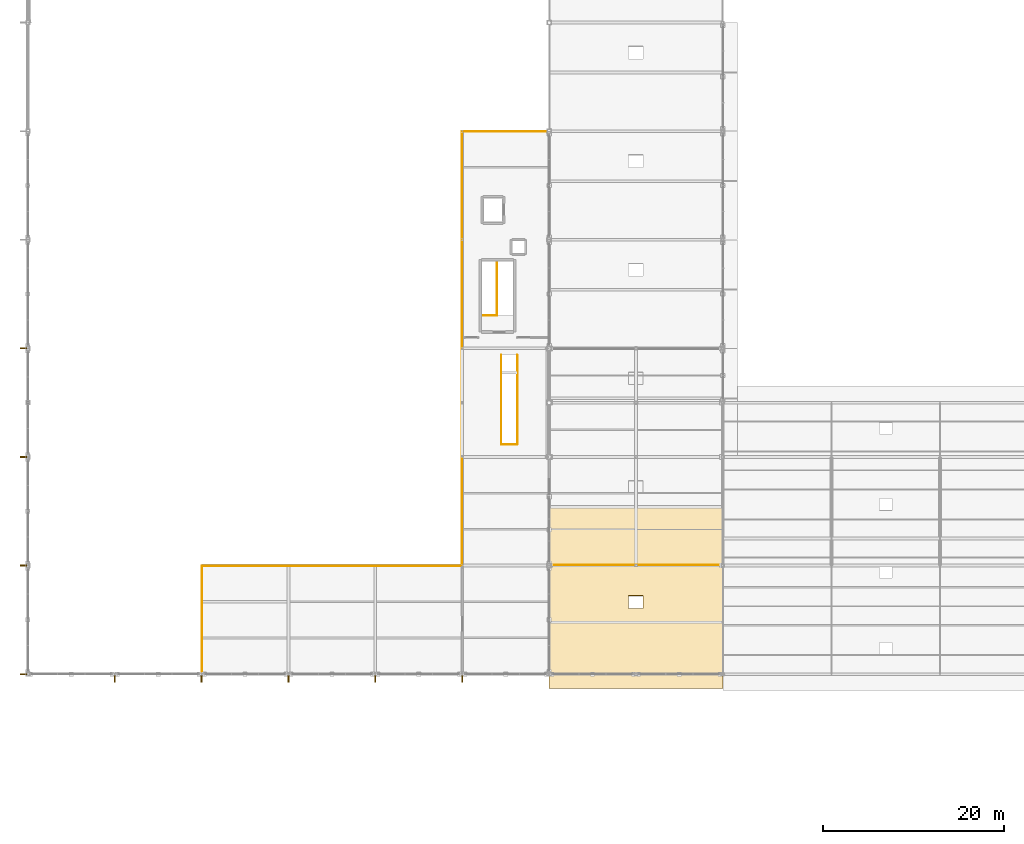
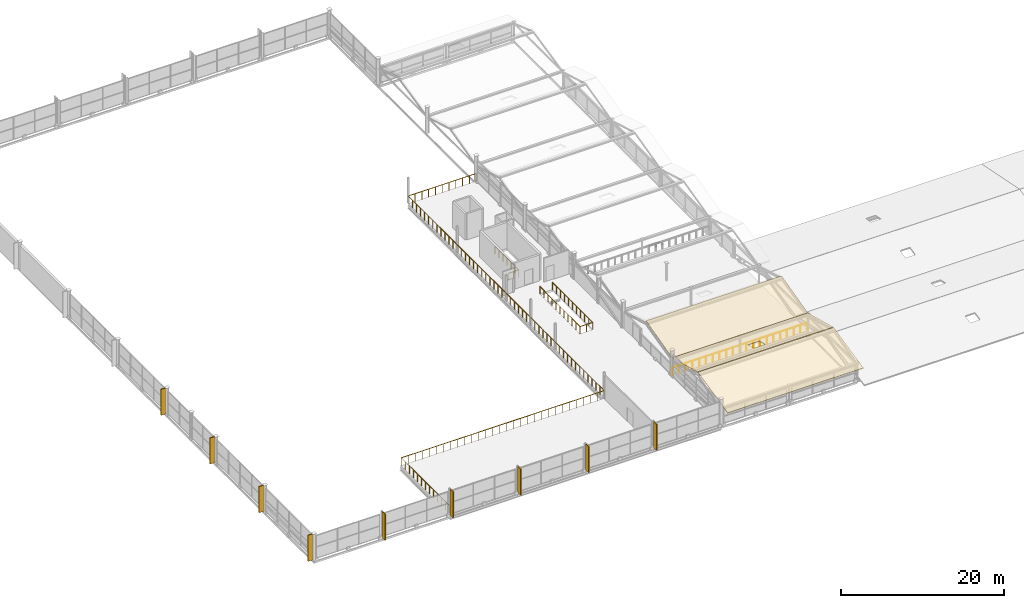
# One storey, part 114 of 117: 12 coverings, 4 railings.
"""IFC4 building model written with IfcOpenShell, lengths in metres."""

import ifcopenshell
import ifcopenshell.guid

model = None  # the IFC model being written
_history = None  # IfcOwnerHistory: only IFC2X3 demands one
_inside = {}  # id of a spatial element -> (the spatial element, [elements in it])
_under = {}  # id of a project, library or spatial element -> (it, [spatial elements below it])
_declared = {}  # id of a project -> (the project, [libraries it declares])
_typed = {}  # id of a type object -> (the type object, [elements of that type])
_made_of = {}  # id of a material, layer set ... -> (it, [elements and type objects made of it])


def new_model(schema):
    """Start an empty IFC model of exactly this schema.

    Asked for "IFC4X3", IfcOpenShell would pick the latest addendum, in which some entities
    have other attributes; the version numbers below select the first issue.
    IFC2X3 requires an IfcOwnerHistory on every rooted entity: one is made here for all.
    """
    global model, _history
    if schema == "IFC4X3":
        model = ifcopenshell.file(schema_version=(4, 3, 0, 0))
    else:
        model = ifcopenshell.file(schema=schema)
    _inside.clear()
    _under.clear()
    _declared.clear()
    _typed.clear()
    _made_of.clear()
    _history = None
    if model.schema == "IFC2X3":
        org = make("IfcOrganization", Name="unknown")
        user = make(
            "IfcPersonAndOrganization",
            ThePerson=make("IfcPerson", FamilyName="unknown"),
            TheOrganization=org,
        )
        app = make(
            "IfcApplication",
            ApplicationDeveloper=org,
            Version="unknown",
            ApplicationFullName="unknown",
            ApplicationIdentifier="unknown",
        )
        _history = make(
            "IfcOwnerHistory",
            OwningUser=user,
            OwningApplication=app,
            ChangeAction="ADDED",
            CreationDate=0,
        )
    return model


def make(cls, **values):
    """One entity of the class cls with the attributes given. An attribute that is None is left unset."""
    return model.create_entity(
        cls, **{name: value for name, value in values.items() if value is not None}
    )


def rooted(cls, **values):
    """An entity with a GlobalId (a new one), such as an element, a storey or a relation."""
    return make(cls, GlobalId=ifcopenshell.guid.new(), OwnerHistory=_history, **values)


def si_unit(unit_type, name, prefix=None):
    """IfcSIUnit, for example si_unit("LENGTHUNIT", "METRE", prefix="MILLI")."""
    return make("IfcSIUnit", UnitType=unit_type, Prefix=prefix, Name=name)


def assignment(units):
    """IfcUnitAssignment: the units of a project."""
    return None if units is None else make("IfcUnitAssignment", Units=units)


def point(xyz):
    """IfcCartesianPoint."""
    return None if xyz is None else make("IfcCartesianPoint", Coordinates=xyz)


def direction(xyz):
    """IfcDirection."""
    return None if xyz is None else make("IfcDirection", DirectionRatios=xyz)


def frame(location, z_axis=None, x_axis=None):
    """IfcAxis2Placement3D, a coordinate frame: its origin and axes. An axis left out is left unset."""
    return make(
        "IfcAxis2Placement3D",
        Location=point(location),
        Axis=direction(z_axis),
        RefDirection=direction(x_axis),
    )


def frame_2d(location, x_axis=None):
    """IfcAxis2Placement2D, a coordinate frame in the plane: its origin and x axis."""
    return make(
        "IfcAxis2Placement2D", Location=point(location), RefDirection=direction(x_axis)
    )


def origin():
    """The frame at (0, 0, 0) with its axes left unset."""
    return frame((0.0, 0.0, 0.0))


def origin_2d():
    """The frame at (0, 0) in the plane with its x axis left unset."""
    return frame_2d((0.0, 0.0))


def place(relative_to, where):
    """IfcLocalPlacement: puts the frame where relative to a parent placement (None: the world)."""
    return make(
        "IfcLocalPlacement", PlacementRelTo=relative_to, RelativePlacement=where
    )


def context(
    kind, dimensions, precision=None, world=None, true_north=None, identifier=None
):
    """IfcGeometricRepresentationContext, for example the 3D "Model" context."""
    return make(
        "IfcGeometricRepresentationContext",
        ContextIdentifier=identifier,
        ContextType=kind,
        CoordinateSpaceDimension=dimensions,
        Precision=precision,
        WorldCoordinateSystem=world,
        TrueNorth=true_north,
    )


def subcontext(parent, identifier, kind, view, scale=None):
    """IfcGeometricRepresentationSubContext, for example "Body" below "Model"."""
    return make(
        "IfcGeometricRepresentationSubContext",
        ContextIdentifier=identifier,
        ContextType=kind,
        ParentContext=parent,
        TargetScale=scale,
        TargetView=view,
    )


def project(units=None, contexts=None):
    """IfcProject with its units and contexts."""
    return rooted(
        "IfcProject",
        Name="project",
        RepresentationContexts=contexts,
        UnitsInContext=assignment(units),
    )


def spatial(cls, under=None, at=None, **own):
    """A site, building, storey or space (cls), placed at a placement, below another one or the project."""
    s = rooted(cls, ObjectPlacement=at, **own)
    if under is not None:
        _under.setdefault(under.id(), (under, []))[1].append(s)
    return s


def polyline(points):
    """IfcPolyline through the points."""
    return make("IfcPolyline", Points=[point(p) for p in points])


def profile(cls, at=None, kind="AREA", **sizes):
    """A parametric profile (cls). Its sizes go by their IFC names, for example OverallWidth=200.0."""
    return make(cls, ProfileType=kind, Position=at, **sizes)


def circle(**sizes):
    """IfcCircleProfileDef."""
    return profile("IfcCircleProfileDef", **sizes)


def outline(outer, holes=None, kind="AREA"):
    """IfcArbitraryClosedProfileDef: a profile drawn as a closed curve; with holes, ...WithVoids."""
    if holes is None:
        return make("IfcArbitraryClosedProfileDef", ProfileType=kind, OuterCurve=outer)
    return make(
        "IfcArbitraryProfileDefWithVoids",
        ProfileType=kind,
        OuterCurve=outer,
        InnerCurves=holes,
    )


def extrude(swept, where, along, depth):
    """IfcExtrudedAreaSolid: the profile swept, set in the frame where, extruded along a direction by depth."""
    return make(
        "IfcExtrudedAreaSolid",
        SweptArea=swept,
        Position=where,
        ExtrudedDirection=direction(along),
        Depth=depth,
    )


def shape(context_of_items, identifier, shape_type, items):
    """IfcShapeRepresentation: the items that make up one representation, for example the "Body"."""
    return make(
        "IfcShapeRepresentation",
        ContextOfItems=context_of_items,
        RepresentationIdentifier=identifier,
        RepresentationType=shape_type,
        Items=items,
    )


def material(Name=None, Category=None):
    """IfcMaterial."""
    return make("IfcMaterial", Name=Name, Category=Category)


def layer(
    of_material, thickness, ventilated=None, Name=None, Category=None, Priority=None
):
    """IfcMaterialLayer: one layer of a wall or slab, of a material (None: an air gap)."""
    return make(
        "IfcMaterialLayer",
        Material=of_material,
        LayerThickness=thickness,
        IsVentilated=ventilated,
        Name=Name,
        Category=Category,
        Priority=Priority,
    )


def layer_set(layers, Name=None):
    """IfcMaterialLayerSet."""
    return make("IfcMaterialLayerSet", MaterialLayers=layers, LayerSetName=Name)


def made_of(thing, what):
    """Note that an element or type object is made of a material, layer set ...; save() writes the relation."""
    if what is not None:
        _made_of.setdefault(what.id(), (what, []))[1].append(thing)
    return thing


def type_object(cls, material=None, **own):
    """A type object (cls), such as IfcWallType, which elements share."""
    return made_of(rooted(cls, **own), material)


def element(
    cls,
    number,
    at=None,
    inside=None,
    cuts=None,
    type_object=None,
    material=None,
    context=None,
    identifier="Body",
    shape_type=None,
    held_by="IfcProductDefinitionShape",
    body=None,
    shapes=None,
    **own,
):
    """One element of the class cls, such as IfcWall. Its Tag is "e" and its number.

    at: its placement. inside: the storey or other place that contains it. cuts: it is an
    opening in that element (IfcRelVoidsElement). A single representation is given by context,
    identifier, shape_type and body (its items); several are given by shapes. held_by: the class
    of the entity that holds the representations. save() writes the other relations.
    """
    e = rooted(cls, Tag="e%d" % number, ObjectPlacement=at, **own)
    if body is not None:
        shapes = [shape(context, identifier, shape_type, body)]
    if shapes is not None:
        e.Representation = make(held_by, Representations=shapes)
    if inside is not None:
        _inside.setdefault(inside.id(), (inside, []))[1].append(e)
    if cuts is not None:
        rooted(
            "IfcRelVoidsElement", RelatingBuildingElement=cuts, RelatedOpeningElement=e
        )
    if type_object is not None:
        _typed.setdefault(type_object.id(), (type_object, []))[1].append(e)
    return made_of(e, material)


def aggregate(whole, parts):
    """IfcRelAggregates: a whole, such as a stair, and the parts it consists of."""
    return rooted("IfcRelAggregates", RelatingObject=whole, RelatedObjects=parts)


def save(model, path):
    """Write the relations noted so far, then the file.

    IfcRelAggregates (storeys below a building ...), IfcRelContainedInSpatialStructure (elements
    in a storey), IfcRelDefinesByType, IfcRelAssociatesMaterial and IfcRelDeclares: one each for
    every whole, place, type object, material and project.
    """
    for whole, parts in _under.values():
        aggregate(whole, parts)
    for where, things in _inside.values():
        rooted(
            "IfcRelContainedInSpatialStructure",
            RelatedElements=things,
            RelatingStructure=where,
        )
    for kind, things in _typed.values():
        rooted("IfcRelDefinesByType", RelatedObjects=things, RelatingType=kind)
    for what, things in _made_of.values():
        rooted("IfcRelAssociatesMaterial", RelatedObjects=things, RelatingMaterial=what)
    for by, libraries in _declared.values():
        rooted("IfcRelDeclares", RelatingContext=by, RelatedDefinitions=libraries)
    model.write(path)


model = new_model("IFC4")

# Units and contexts
model_context = context("Model", 3, precision=1e-05, world=origin(), true_north=direction((0.0, 1.0)))
body_context = subcontext(model_context, "Body", "Model", "MODEL_VIEW")
ifc_project = project(units=[si_unit("LENGTHUNIT", "METRE"), si_unit("AREAUNIT", "SQUARE_METRE"), si_unit("VOLUMEUNIT", "CUBIC_METRE"), si_unit("PLANEANGLEUNIT", "RADIAN"), si_unit("MASSUNIT", "GRAM", prefix="KILO")], contexts=[model_context])

# Site, building, storey
site_placement = place(None, origin())
site = spatial("IfcSite", under=ifc_project, at=site_placement, CompositionType="ELEMENT")
building_placement = place(site_placement, origin())
building = spatial("IfcBuilding", under=site, at=building_placement, Name="Merenkruunu Market Hall", CompositionType="ELEMENT")
storey_placement = place(building_placement, frame((0.0, 0.0, 10.199951171875)))
storey = spatial("IfcBuildingStorey", under=building, at=storey_placement, Name="L02", CompositionType="ELEMENT", Elevation=10.199951171875)

# Coverings
ifc_material_1 = material(Name="Precast concrete C40/50", Category="concrete")
ifc_layer_1 = layer(ifc_material_1, 0.139892578125)
ifc_layer_set_1 = layer_set([ifc_layer_1], Name="Precast concrete C40/50")
covering_type_1 = type_object("IfcCoveringType", Name="Architectural Precast Sun Fin CLD02", PredefinedType="CLADDING", material=ifc_layer_set_1)
covering_1_placement = place(storey_placement, origin())
element("IfcCovering", 1, at=covering_1_placement, inside=storey, type_object=covering_type_1, Name="FIN-W-L02-003", PredefinedType="CLADDING", context=body_context, shape_type="SweptSolid", body=[
    extrude(outline(polyline([(-0.8701171875, 15.530029296875), (-0.14794921875, 15.530029296875), (-0.14794921875, 15.669921875), (-0.8701171875, 15.669921875), (-0.8701171875, 15.530029296875)])), origin(), (0.0, 0.0, 1.0), 3.900146484375),
])
covering_2_placement = place(storey_placement, origin())
element("IfcCovering", 2, at=covering_2_placement, inside=storey, type_object=covering_type_1, Name="FIN-W-L02-006", PredefinedType="CLADDING", context=body_context, shape_type="SweptSolid", body=[
    extrude(outline(polyline([(-0.8701171875, 27.530029296875), (-0.14794921875, 27.530029296875), (-0.14794921875, 27.669921875), (-0.8701171875, 27.669921875), (-0.8701171875, 27.530029296875)])), origin(), (0.0, 0.0, 1.0), 3.900146484375),
])
covering_3_placement = place(storey_placement, origin())
element("IfcCovering", 3, at=covering_3_placement, inside=storey, type_object=covering_type_1, Name="FIN-W-L02-009", PredefinedType="CLADDING", context=body_context, shape_type="SweptSolid", body=[
    extrude(outline(polyline([(-0.8701171875, 39.530029296875), (-0.14794921875, 39.530029296875), (-0.14794921875, 39.669921875), (-0.8701171875, 39.669921875), (-0.8701171875, 39.530029296875)])), origin(), (0.0, 0.0, 1.0), 3.900146484375),
])
covering_4_placement = place(storey_placement, origin())
element("IfcCovering", 4, at=covering_4_placement, inside=storey, type_object=covering_type_1, Name="FIN-W-L02-012", PredefinedType="CLADDING", context=body_context, shape_type="SweptSolid", body=[
    extrude(outline(polyline([(-0.8701171875, 51.530029296875), (-0.14794921875, 51.530029296875), (-0.14794921875, 51.669921875), (-0.8701171875, 51.669921875), (-0.8701171875, 51.530029296875)])), origin(), (0.0, 0.0, 1.0), 3.900146484375),
])
covering_5_placement = place(storey_placement, origin())
element("IfcCovering", 5, at=covering_5_placement, inside=storey, type_object=covering_type_1, Name="FIN-S-L02-029", PredefinedType="CLADDING", context=body_context, shape_type="SweptSolid", body=[
    extrude(outline(polyline([(9.530029296875, 14.72998046875), (9.669921875, 14.72998046875), (9.669921875, 15.451904296875), (9.530029296875, 15.451904296875), (9.530029296875, 14.72998046875)])), origin(), (0.0, 0.0, 1.0), 3.900146484375),
])
covering_6_placement = place(storey_placement, origin())
element("IfcCovering", 6, at=covering_6_placement, inside=storey, type_object=covering_type_1, Name="FIN-S-L02-034", PredefinedType="CLADDING", context=body_context, shape_type="SweptSolid", body=[
    extrude(outline(polyline([(19.1298828125, 14.72998046875), (19.27001953125, 14.72998046875), (19.27001953125, 15.451904296875), (19.1298828125, 15.451904296875), (19.1298828125, 14.72998046875)])), origin(), (0.0, 0.0, 1.0), 3.900146484375),
])
covering_7_placement = place(storey_placement, origin())
element("IfcCovering", 7, at=covering_7_placement, inside=storey, type_object=covering_type_1, Name="FIN-S-L02-039", PredefinedType="CLADDING", context=body_context, shape_type="SweptSolid", body=[
    extrude(outline(polyline([(28.72998046875, 14.72998046875), (28.8701171875, 14.72998046875), (28.8701171875, 15.451904296875), (28.72998046875, 15.451904296875), (28.72998046875, 14.72998046875)])), origin(), (0.0, 0.0, 1.0), 3.900146484375),
])
covering_8_placement = place(storey_placement, origin())
element("IfcCovering", 8, at=covering_8_placement, inside=storey, type_object=covering_type_1, Name="FIN-S-L02-044", PredefinedType="CLADDING", context=body_context, shape_type="SweptSolid", body=[
    extrude(outline(polyline([(38.330078125, 14.72998046875), (38.469970703125, 14.72998046875), (38.469970703125, 15.451904296875), (38.330078125, 15.451904296875), (38.330078125, 14.72998046875)])), origin(), (0.0, 0.0, 1.0), 3.900146484375),
])
covering_9_placement = place(storey_placement, origin())
element("IfcCovering", 9, at=covering_9_placement, inside=storey, type_object=covering_type_1, Name="FIN-S-L02-049", PredefinedType="CLADDING", context=body_context, shape_type="SweptSolid", body=[
    extrude(outline(polyline([(47.929931640625, 14.72998046875), (48.070068359375, 14.72998046875), (48.070068359375, 15.451904296875), (47.929931640625, 15.451904296875), (47.929931640625, 14.72998046875)])), origin(), (0.0, 0.0, 1.0), 3.900146484375),
])

# Railings
ifc_material_2 = material(Name="Brushed stainless steel", Category="steel")
railing_type_1 = type_object("IfcRailingType", Name="Gallery Balustrade Guard GR01", PredefinedType="BALUSTRADE", material=ifc_material_2)
railing_1_placement = place(storey_placement, frame((50.360107421875, 55.239990234375, 0.0)))
element("IfcRailing", 10, at=railing_1_placement, inside=storey, type_object=railing_type_1, Name="RAIL-L02-0027", PredefinedType="BALUSTRADE", context=body_context, shape_type="SweptSolid", body=[
    extrude(circle(Radius=0.02392578125, at=origin_2d()), frame((0.0, 0.0, 1.076171875), z_axis=(1.0, 0.0, 0.0), x_axis=(0.0, 1.0, 0.0)), (0.0, 0.0, 1.0), 1.5),
    extrude(circle(Radius=0.02392578125, at=origin_2d()), frame((1.5, 0.0, 1.076171875), z_axis=(0.0, 1.0, 0.0), x_axis=(-1.0, 0.0, 0.0)), (0.0, 0.0, 1.0), 5.800048828125),
    extrude(circle(Radius=0.02099609375, at=origin_2d()), origin(), (0.0, 0.0, 1.0), 1.052001953125),
    extrude(circle(Radius=0.02099609375, at=origin_2d()), frame((0.75, 0.0, 0.0)), (0.0, 0.0, 1.0), 1.052001953125),
    extrude(circle(Radius=0.02099609375, at=origin_2d()), frame((1.5, 0.0, 0.0)), (0.0, 0.0, 1.0), 1.052001953125),
    extrude(circle(Radius=0.02099609375, at=origin_2d()), frame((1.5, 0.966796875, 0.0)), (0.0, 0.0, 1.0), 1.052001953125),
    extrude(circle(Radius=0.02099609375, at=origin_2d()), frame((1.5, 1.933349609375, 0.0)), (0.0, 0.0, 1.0), 1.052001953125),
    extrude(circle(Radius=0.02099609375, at=origin_2d()), frame((1.5, 2.89990234375, 0.0)), (0.0, 0.0, 1.0), 1.052001953125),
    extrude(circle(Radius=0.02099609375, at=origin_2d()), frame((1.5, 3.86669921875, 0.0)), (0.0, 0.0, 1.0), 1.052001953125),
    extrude(circle(Radius=0.02099609375, at=origin_2d()), frame((1.5, 4.83349609375, 0.0)), (0.0, 0.0, 1.0), 1.052001953125),
    extrude(circle(Radius=0.02099609375, at=origin_2d()), frame((1.5, 5.800048828125, 0.0)), (0.0, 0.0, 1.0), 1.052001953125),
])
railing_2_placement = place(storey_placement, frame((52.31005859375, 50.85009765625, 0.0)))
element("IfcRailing", 11, at=railing_2_placement, inside=storey, type_object=railing_type_1, Name="RAIL-L02-0118", PredefinedType="BALUSTRADE", context=body_context, shape_type="SweptSolid", body=[
    extrude(circle(Radius=0.02392578125, at=origin_2d()), frame((0.0, 0.0, 1.076171875), z_axis=(0.0, -1.0, 0.0), x_axis=(1.0, 0.0, 0.0)), (0.0, 0.0, 1.0), 9.85009765625),
    extrude(circle(Radius=0.02392578125, at=origin_2d()), frame((0.0, -9.85009765625, 1.076171875), z_axis=(1.0, 0.0, 0.0), x_axis=(0.0, 1.0, 0.0)), (0.0, 0.0, 1.0), 1.780029296875),
    extrude(circle(Radius=0.02392578125, at=origin_2d()), frame((1.780029296875, -9.85009765625, 1.076171875), z_axis=(0.0, 1.0, 0.0), x_axis=(-1.0, 0.0, 0.0)), (0.0, 0.0, 1.0), 9.85009765625),
    extrude(circle(Radius=0.02099609375, at=origin_2d()), origin(), (0.0, 0.0, 1.0), 1.052001953125),
    extrude(circle(Radius=0.02099609375, at=origin_2d()), frame((0.0, -0.985107421875, 0.0)), (0.0, 0.0, 1.0), 1.052001953125),
    extrude(circle(Radius=0.02099609375, at=origin_2d()), frame((0.0, -1.969970703125, 0.0)), (0.0, 0.0, 1.0), 1.052001953125),
    extrude(circle(Radius=0.02099609375, at=origin_2d()), frame((0.0, -2.955078125, 0.0)), (0.0, 0.0, 1.0), 1.052001953125),
    extrude(circle(Radius=0.02099609375, at=origin_2d()), frame((0.0, -3.93994140625, 0.0)), (0.0, 0.0, 1.0), 1.052001953125),
    extrude(circle(Radius=0.02099609375, at=origin_2d()), frame((0.0, -4.925048828125, 0.0)), (0.0, 0.0, 1.0), 1.052001953125),
    extrude(circle(Radius=0.02099609375, at=origin_2d()), frame((0.0, -5.91015625, 0.0)), (0.0, 0.0, 1.0), 1.052001953125),
    extrude(circle(Radius=0.02099609375, at=origin_2d()), frame((0.0, -6.89501953125, 0.0)), (0.0, 0.0, 1.0), 1.052001953125),
    extrude(circle(Radius=0.02099609375, at=origin_2d()), frame((0.0, -7.880126953125, 0.0)), (0.0, 0.0, 1.0), 1.052001953125),
    extrude(circle(Radius=0.02099609375, at=origin_2d()), frame((0.0, -8.864990234375, 0.0)), (0.0, 0.0, 1.0), 1.052001953125),
    extrude(circle(Radius=0.02099609375, at=origin_2d()), frame((0.0, -9.85009765625, 0.0)), (0.0, 0.0, 1.0), 1.052001953125),
    extrude(circle(Radius=0.02099609375, at=origin_2d()), frame((0.89013671875, -9.85009765625, 0.0)), (0.0, 0.0, 1.0), 1.052001953125),
    extrude(circle(Radius=0.02099609375, at=origin_2d()), frame((1.780029296875, -9.85009765625, 0.0)), (0.0, 0.0, 1.0), 1.052001953125),
    extrude(circle(Radius=0.02099609375, at=origin_2d()), frame((1.780029296875, -8.864990234375, 0.0)), (0.0, 0.0, 1.0), 1.052001953125),
    extrude(circle(Radius=0.02099609375, at=origin_2d()), frame((1.780029296875, -7.880126953125, 0.0)), (0.0, 0.0, 1.0), 1.052001953125),
    extrude(circle(Radius=0.02099609375, at=origin_2d()), frame((1.780029296875, -6.89501953125, 0.0)), (0.0, 0.0, 1.0), 1.052001953125),
    extrude(circle(Radius=0.02099609375, at=origin_2d()), frame((1.780029296875, -5.91015625, 0.0)), (0.0, 0.0, 1.0), 1.052001953125),
    extrude(circle(Radius=0.02099609375, at=origin_2d()), frame((1.780029296875, -4.925048828125, 0.0)), (0.0, 0.0, 1.0), 1.052001953125),
    extrude(circle(Radius=0.02099609375, at=origin_2d()), frame((1.780029296875, -3.93994140625, 0.0)), (0.0, 0.0, 1.0), 1.052001953125),
    extrude(circle(Radius=0.02099609375, at=origin_2d()), frame((1.780029296875, -2.955078125, 0.0)), (0.0, 0.0, 1.0), 1.052001953125),
    extrude(circle(Radius=0.02099609375, at=origin_2d()), frame((1.780029296875, -1.969970703125, 0.0)), (0.0, 0.0, 1.0), 1.052001953125),
    extrude(circle(Radius=0.02099609375, at=origin_2d()), frame((1.780029296875, -0.985107421875, 0.0)), (0.0, 0.0, 1.0), 1.052001953125),
    extrude(circle(Radius=0.02099609375, at=origin_2d()), frame((1.780029296875, 0.0, 0.0)), (0.0, 0.0, 1.0), 1.052001953125),
])
ifc_material_3 = material(Name="Laminated safety glass", Category="glass")
railing_type_2 = type_object("IfcRailingType", Name="High Drop Balustrade Guard GR02", PredefinedType="BALUSTRADE", material=ifc_material_3)
railing_3_placement = place(storey_placement, frame((19.25, 15.64990234375, 0.0)))
element("IfcRailing", 12, at=railing_3_placement, inside=storey, type_object=railing_type_2, Name="RAIL-L02-0134", PredefinedType="BALUSTRADE", context=body_context, shape_type="SweptSolid", body=[
    extrude(circle(Radius=0.02392578125, at=origin_2d()), frame((0.0, 0.0, 1.17578125), z_axis=(0.0, 1.0, 0.0), x_axis=(-1.0, 0.0, 0.0)), (0.0, 0.0, 1.0), 11.900146484375),
    extrude(circle(Radius=0.02392578125, at=origin_2d()), frame((0.0, 11.900146484375, 1.17578125), z_axis=(1.0, 0.0, 0.0), x_axis=(0.0, 1.0, 0.0)), (0.0, 0.0, 1.0), 28.699951171875),
    extrude(circle(Radius=0.02392578125, at=origin_2d()), frame((28.699951171875, 11.900146484375, 1.17578125), z_axis=(0.0, 1.0, 0.0), x_axis=(-1.0, 0.0, 0.0)), (0.0, 0.0, 1.0), 48.0),
    extrude(circle(Radius=0.02392578125, at=origin_2d()), frame((28.699951171875, 59.900146484375, 1.17578125), z_axis=(1.0, 0.0, 0.0), x_axis=(0.0, 1.0, 0.0)), (0.0, 0.0, 1.0), 9.60009765625),
    extrude(circle(Radius=0.02099609375, at=origin_2d()), origin(), (0.0, 0.0, 1.0), 1.15185546875),
    extrude(circle(Radius=0.02099609375, at=origin_2d()), frame((0.0, 0.99169921875, 0.0)), (0.0, 0.0, 1.0), 1.15185546875),
    extrude(circle(Radius=0.02099609375, at=origin_2d()), frame((0.0, 1.9833984375, 0.0)), (0.0, 0.0, 1.0), 1.15185546875),
    extrude(circle(Radius=0.02099609375, at=origin_2d()), frame((0.0, 2.97509765625, 0.0)), (0.0, 0.0, 1.0), 1.15185546875),
    extrude(circle(Radius=0.02099609375, at=origin_2d()), frame((0.0, 3.966796875, 0.0)), (0.0, 0.0, 1.0), 1.15185546875),
    extrude(circle(Radius=0.02099609375, at=origin_2d()), frame((0.0, 4.95849609375, 0.0)), (0.0, 0.0, 1.0), 1.15185546875),
    extrude(circle(Radius=0.02099609375, at=origin_2d()), frame((0.0, 5.9501953125, 0.0)), (0.0, 0.0, 1.0), 1.15185546875),
    extrude(circle(Radius=0.02099609375, at=origin_2d()), frame((0.0, 6.941650390625, 0.0)), (0.0, 0.0, 1.0), 1.15185546875),
    extrude(circle(Radius=0.02099609375, at=origin_2d()), frame((0.0, 7.933349609375, 0.0)), (0.0, 0.0, 1.0), 1.15185546875),
    extrude(circle(Radius=0.02099609375, at=origin_2d()), frame((0.0, 8.925048828125, 0.0)), (0.0, 0.0, 1.0), 1.15185546875),
    extrude(circle(Radius=0.02099609375, at=origin_2d()), frame((0.0, 9.916748046875, 0.0)), (0.0, 0.0, 1.0), 1.15185546875),
    extrude(circle(Radius=0.02099609375, at=origin_2d()), frame((0.0, 10.908447265625, 0.0)), (0.0, 0.0, 1.0), 1.15185546875),
    extrude(circle(Radius=0.02099609375, at=origin_2d()), frame((0.0, 11.900146484375, 0.0)), (0.0, 0.0, 1.0), 1.15185546875),
    extrude(circle(Radius=0.02099609375, at=origin_2d()), frame((0.98974609375, 11.900146484375, 0.0)), (0.0, 0.0, 1.0), 1.15185546875),
    extrude(circle(Radius=0.02099609375, at=origin_2d()), frame((1.979248046875, 11.900146484375, 0.0)), (0.0, 0.0, 1.0), 1.15185546875),
    extrude(circle(Radius=0.02099609375, at=origin_2d()), frame((2.968994140625, 11.900146484375, 0.0)), (0.0, 0.0, 1.0), 1.15185546875),
    extrude(circle(Radius=0.02099609375, at=origin_2d()), frame((3.95849609375, 11.900146484375, 0.0)), (0.0, 0.0, 1.0), 1.15185546875),
    extrude(circle(Radius=0.02099609375, at=origin_2d()), frame((4.9482421875, 11.900146484375, 0.0)), (0.0, 0.0, 1.0), 1.15185546875),
    extrude(circle(Radius=0.02099609375, at=origin_2d()), frame((5.93798828125, 11.900146484375, 0.0)), (0.0, 0.0, 1.0), 1.15185546875),
    extrude(circle(Radius=0.02099609375, at=origin_2d()), frame((6.927490234375, 11.900146484375, 0.0)), (0.0, 0.0, 1.0), 1.15185546875),
    extrude(circle(Radius=0.02099609375, at=origin_2d()), frame((7.917236328125, 11.900146484375, 0.0)), (0.0, 0.0, 1.0), 1.15185546875),
    extrude(circle(Radius=0.02099609375, at=origin_2d()), frame((8.906982421875, 11.900146484375, 0.0)), (0.0, 0.0, 1.0), 1.15185546875),
    extrude(circle(Radius=0.02099609375, at=origin_2d()), frame((9.896484375, 11.900146484375, 0.0)), (0.0, 0.0, 1.0), 1.15185546875),
    extrude(circle(Radius=0.02099609375, at=origin_2d()), frame((10.88623046875, 11.900146484375, 0.0)), (0.0, 0.0, 1.0), 1.15185546875),
    extrude(circle(Radius=0.02099609375, at=origin_2d()), frame((11.875732421875, 11.900146484375, 0.0)), (0.0, 0.0, 1.0), 1.15185546875),
    extrude(circle(Radius=0.02099609375, at=origin_2d()), frame((12.865478515625, 11.900146484375, 0.0)), (0.0, 0.0, 1.0), 1.15185546875),
    extrude(circle(Radius=0.02099609375, at=origin_2d()), frame((13.855224609375, 11.900146484375, 0.0)), (0.0, 0.0, 1.0), 1.15185546875),
    extrude(circle(Radius=0.02099609375, at=origin_2d()), frame((14.8447265625, 11.900146484375, 0.0)), (0.0, 0.0, 1.0), 1.15185546875),
    extrude(circle(Radius=0.02099609375, at=origin_2d()), frame((15.83447265625, 11.900146484375, 0.0)), (0.0, 0.0, 1.0), 1.15185546875),
    extrude(circle(Radius=0.02099609375, at=origin_2d()), frame((16.82421875, 11.900146484375, 0.0)), (0.0, 0.0, 1.0), 1.15185546875),
    extrude(circle(Radius=0.02099609375, at=origin_2d()), frame((17.813720703125, 11.900146484375, 0.0)), (0.0, 0.0, 1.0), 1.15185546875),
    extrude(circle(Radius=0.02099609375, at=origin_2d()), frame((18.803466796875, 11.900146484375, 0.0)), (0.0, 0.0, 1.0), 1.15185546875),
    extrude(circle(Radius=0.02099609375, at=origin_2d()), frame((19.79296875, 11.900146484375, 0.0)), (0.0, 0.0, 1.0), 1.15185546875),
    extrude(circle(Radius=0.02099609375, at=origin_2d()), frame((20.78271484375, 11.900146484375, 0.0)), (0.0, 0.0, 1.0), 1.15185546875),
    extrude(circle(Radius=0.02099609375, at=origin_2d()), frame((21.7724609375, 11.900146484375, 0.0)), (0.0, 0.0, 1.0), 1.15185546875),
    extrude(circle(Radius=0.02099609375, at=origin_2d()), frame((22.761962890625, 11.900146484375, 0.0)), (0.0, 0.0, 1.0), 1.15185546875),
    extrude(circle(Radius=0.02099609375, at=origin_2d()), frame((23.751708984375, 11.900146484375, 0.0)), (0.0, 0.0, 1.0), 1.15185546875),
    extrude(circle(Radius=0.02099609375, at=origin_2d()), frame((24.741455078125, 11.900146484375, 0.0)), (0.0, 0.0, 1.0), 1.15185546875),
    extrude(circle(Radius=0.02099609375, at=origin_2d()), frame((25.73095703125, 11.900146484375, 0.0)), (0.0, 0.0, 1.0), 1.15185546875),
    extrude(circle(Radius=0.02099609375, at=origin_2d()), frame((26.720703125, 11.900146484375, 0.0)), (0.0, 0.0, 1.0), 1.15185546875),
    extrude(circle(Radius=0.02099609375, at=origin_2d()), frame((27.710205078125, 11.900146484375, 0.0)), (0.0, 0.0, 1.0), 1.15185546875),
    extrude(circle(Radius=0.02099609375, at=origin_2d()), frame((28.699951171875, 11.900146484375, 0.0)), (0.0, 0.0, 1.0), 1.15185546875),
    extrude(circle(Radius=0.02099609375, at=origin_2d()), frame((28.699951171875, 12.900146484375, 0.0)), (0.0, 0.0, 1.0), 1.15185546875),
    extrude(circle(Radius=0.02099609375, at=origin_2d()), frame((28.699951171875, 13.900146484375, 0.0)), (0.0, 0.0, 1.0), 1.15185546875),
    extrude(circle(Radius=0.02099609375, at=origin_2d()), frame((28.699951171875, 14.900146484375, 0.0)), (0.0, 0.0, 1.0), 1.15185546875),
    extrude(circle(Radius=0.02099609375, at=origin_2d()), frame((28.699951171875, 15.900146484375, 0.0)), (0.0, 0.0, 1.0), 1.15185546875),
    extrude(circle(Radius=0.02099609375, at=origin_2d()), frame((28.699951171875, 16.900146484375, 0.0)), (0.0, 0.0, 1.0), 1.15185546875),
    extrude(circle(Radius=0.02099609375, at=origin_2d()), frame((28.699951171875, 17.900146484375, 0.0)), (0.0, 0.0, 1.0), 1.15185546875),
    extrude(circle(Radius=0.02099609375, at=origin_2d()), frame((28.699951171875, 18.900146484375, 0.0)), (0.0, 0.0, 1.0), 1.15185546875),
    extrude(circle(Radius=0.02099609375, at=origin_2d()), frame((28.699951171875, 19.900146484375, 0.0)), (0.0, 0.0, 1.0), 1.15185546875),
    extrude(circle(Radius=0.02099609375, at=origin_2d()), frame((28.699951171875, 20.900146484375, 0.0)), (0.0, 0.0, 1.0), 1.15185546875),
    extrude(circle(Radius=0.02099609375, at=origin_2d()), frame((28.699951171875, 21.900146484375, 0.0)), (0.0, 0.0, 1.0), 1.15185546875),
    extrude(circle(Radius=0.02099609375, at=origin_2d()), frame((28.699951171875, 22.900146484375, 0.0)), (0.0, 0.0, 1.0), 1.15185546875),
    extrude(circle(Radius=0.02099609375, at=origin_2d()), frame((28.699951171875, 23.900146484375, 0.0)), (0.0, 0.0, 1.0), 1.15185546875),
    extrude(circle(Radius=0.02099609375, at=origin_2d()), frame((28.699951171875, 24.900146484375, 0.0)), (0.0, 0.0, 1.0), 1.15185546875),
    extrude(circle(Radius=0.02099609375, at=origin_2d()), frame((28.699951171875, 25.900146484375, 0.0)), (0.0, 0.0, 1.0), 1.15185546875),
    extrude(circle(Radius=0.02099609375, at=origin_2d()), frame((28.699951171875, 26.900146484375, 0.0)), (0.0, 0.0, 1.0), 1.15185546875),
    extrude(circle(Radius=0.02099609375, at=origin_2d()), frame((28.699951171875, 27.900146484375, 0.0)), (0.0, 0.0, 1.0), 1.15185546875),
    extrude(circle(Radius=0.02099609375, at=origin_2d()), frame((28.699951171875, 28.900146484375, 0.0)), (0.0, 0.0, 1.0), 1.15185546875),
    extrude(circle(Radius=0.02099609375, at=origin_2d()), frame((28.699951171875, 29.900146484375, 0.0)), (0.0, 0.0, 1.0), 1.15185546875),
    extrude(circle(Radius=0.02099609375, at=origin_2d()), frame((28.699951171875, 30.900146484375, 0.0)), (0.0, 0.0, 1.0), 1.15185546875),
    extrude(circle(Radius=0.02099609375, at=origin_2d()), frame((28.699951171875, 31.900146484375, 0.0)), (0.0, 0.0, 1.0), 1.15185546875),
    extrude(circle(Radius=0.02099609375, at=origin_2d()), frame((28.699951171875, 32.900146484375, 0.0)), (0.0, 0.0, 1.0), 1.15185546875),
    extrude(circle(Radius=0.02099609375, at=origin_2d()), frame((28.699951171875, 33.900146484375, 0.0)), (0.0, 0.0, 1.0), 1.15185546875),
    extrude(circle(Radius=0.02099609375, at=origin_2d()), frame((28.699951171875, 34.900146484375, 0.0)), (0.0, 0.0, 1.0), 1.15185546875),
    extrude(circle(Radius=0.02099609375, at=origin_2d()), frame((28.699951171875, 35.900146484375, 0.0)), (0.0, 0.0, 1.0), 1.15185546875),
    extrude(circle(Radius=0.02099609375, at=origin_2d()), frame((28.699951171875, 36.900146484375, 0.0)), (0.0, 0.0, 1.0), 1.15185546875),
    extrude(circle(Radius=0.02099609375, at=origin_2d()), frame((28.699951171875, 37.900146484375, 0.0)), (0.0, 0.0, 1.0), 1.15185546875),
    extrude(circle(Radius=0.02099609375, at=origin_2d()), frame((28.699951171875, 38.900146484375, 0.0)), (0.0, 0.0, 1.0), 1.15185546875),
    extrude(circle(Radius=0.02099609375, at=origin_2d()), frame((28.699951171875, 39.900146484375, 0.0)), (0.0, 0.0, 1.0), 1.15185546875),
    extrude(circle(Radius=0.02099609375, at=origin_2d()), frame((28.699951171875, 40.900146484375, 0.0)), (0.0, 0.0, 1.0), 1.15185546875),
    extrude(circle(Radius=0.02099609375, at=origin_2d()), frame((28.699951171875, 41.900146484375, 0.0)), (0.0, 0.0, 1.0), 1.15185546875),
    extrude(circle(Radius=0.02099609375, at=origin_2d()), frame((28.699951171875, 42.900146484375, 0.0)), (0.0, 0.0, 1.0), 1.15185546875),
    extrude(circle(Radius=0.02099609375, at=origin_2d()), frame((28.699951171875, 43.900146484375, 0.0)), (0.0, 0.0, 1.0), 1.15185546875),
    extrude(circle(Radius=0.02099609375, at=origin_2d()), frame((28.699951171875, 44.900146484375, 0.0)), (0.0, 0.0, 1.0), 1.15185546875),
    extrude(circle(Radius=0.02099609375, at=origin_2d()), frame((28.699951171875, 45.900146484375, 0.0)), (0.0, 0.0, 1.0), 1.15185546875),
    extrude(circle(Radius=0.02099609375, at=origin_2d()), frame((28.699951171875, 46.900146484375, 0.0)), (0.0, 0.0, 1.0), 1.15185546875),
    extrude(circle(Radius=0.02099609375, at=origin_2d()), frame((28.699951171875, 47.900146484375, 0.0)), (0.0, 0.0, 1.0), 1.15185546875),
    extrude(circle(Radius=0.02099609375, at=origin_2d()), frame((28.699951171875, 48.900146484375, 0.0)), (0.0, 0.0, 1.0), 1.15185546875),
    extrude(circle(Radius=0.02099609375, at=origin_2d()), frame((28.699951171875, 49.900146484375, 0.0)), (0.0, 0.0, 1.0), 1.15185546875),
    extrude(circle(Radius=0.02099609375, at=origin_2d()), frame((28.699951171875, 50.900146484375, 0.0)), (0.0, 0.0, 1.0), 1.15185546875),
    extrude(circle(Radius=0.02099609375, at=origin_2d()), frame((28.699951171875, 51.900146484375, 0.0)), (0.0, 0.0, 1.0), 1.15185546875),
    extrude(circle(Radius=0.02099609375, at=origin_2d()), frame((28.699951171875, 52.900146484375, 0.0)), (0.0, 0.0, 1.0), 1.15185546875),
    extrude(circle(Radius=0.02099609375, at=origin_2d()), frame((28.699951171875, 53.900146484375, 0.0)), (0.0, 0.0, 1.0), 1.15185546875),
    extrude(circle(Radius=0.02099609375, at=origin_2d()), frame((28.699951171875, 54.900146484375, 0.0)), (0.0, 0.0, 1.0), 1.15185546875),
    extrude(circle(Radius=0.02099609375, at=origin_2d()), frame((28.699951171875, 55.900146484375, 0.0)), (0.0, 0.0, 1.0), 1.15185546875),
    extrude(circle(Radius=0.02099609375, at=origin_2d()), frame((28.699951171875, 56.900146484375, 0.0)), (0.0, 0.0, 1.0), 1.15185546875),
    extrude(circle(Radius=0.02099609375, at=origin_2d()), frame((28.699951171875, 57.900146484375, 0.0)), (0.0, 0.0, 1.0), 1.15185546875),
    extrude(circle(Radius=0.02099609375, at=origin_2d()), frame((28.699951171875, 58.900146484375, 0.0)), (0.0, 0.0, 1.0), 1.15185546875),
    extrude(circle(Radius=0.02099609375, at=origin_2d()), frame((28.699951171875, 59.900146484375, 0.0)), (0.0, 0.0, 1.0), 1.15185546875),
    extrude(circle(Radius=0.02099609375, at=origin_2d()), frame((29.659912109375, 59.900146484375, 0.0)), (0.0, 0.0, 1.0), 1.15185546875),
    extrude(circle(Radius=0.02099609375, at=origin_2d()), frame((30.619873046875, 59.900146484375, 0.0)), (0.0, 0.0, 1.0), 1.15185546875),
    extrude(circle(Radius=0.02099609375, at=origin_2d()), frame((31.580078125, 59.900146484375, 0.0)), (0.0, 0.0, 1.0), 1.15185546875),
    extrude(circle(Radius=0.02099609375, at=origin_2d()), frame((32.5400390625, 59.900146484375, 0.0)), (0.0, 0.0, 1.0), 1.15185546875),
    extrude(circle(Radius=0.02099609375, at=origin_2d()), frame((33.5, 59.900146484375, 0.0)), (0.0, 0.0, 1.0), 1.15185546875),
    extrude(circle(Radius=0.02099609375, at=origin_2d()), frame((34.4599609375, 59.900146484375, 0.0)), (0.0, 0.0, 1.0), 1.15185546875),
    extrude(circle(Radius=0.02099609375, at=origin_2d()), frame((35.419921875, 59.900146484375, 0.0)), (0.0, 0.0, 1.0), 1.15185546875),
    extrude(circle(Radius=0.02099609375, at=origin_2d()), frame((36.380126953125, 59.900146484375, 0.0)), (0.0, 0.0, 1.0), 1.15185546875),
    extrude(circle(Radius=0.02099609375, at=origin_2d()), frame((37.340087890625, 59.900146484375, 0.0)), (0.0, 0.0, 1.0), 1.15185546875),
    extrude(circle(Radius=0.02099609375, at=origin_2d()), frame((38.300048828125, 59.900146484375, 0.0)), (0.0, 0.0, 1.0), 1.15185546875),
])
railing_4_placement = place(storey_placement, frame((57.64990234375, 27.64990234375, 0.0)))
element("IfcRailing", 13, at=railing_4_placement, inside=storey, type_object=railing_type_2, Name="RAIL-L02-0135", PredefinedType="BALUSTRADE", context=body_context, shape_type="SweptSolid", body=[
    extrude(circle(Radius=0.02392578125, at=origin_2d()), frame((0.0, 0.0, 1.17578125), z_axis=(1.0, 0.0, 0.0), x_axis=(0.0, 1.0, 0.0)), (0.0, 0.0, 1.0), 19.10009765625),
    extrude(circle(Radius=0.02099609375, at=origin_2d()), origin(), (0.0, 0.0, 1.0), 1.15185546875),
    extrude(circle(Radius=0.02099609375, at=origin_2d()), frame((0.955078125, 0.0, 0.0)), (0.0, 0.0, 1.0), 1.15185546875),
    extrude(circle(Radius=0.02099609375, at=origin_2d()), frame((1.909912109375, 0.0, 0.0)), (0.0, 0.0, 1.0), 1.15185546875),
    extrude(circle(Radius=0.02099609375, at=origin_2d()), frame((2.864990234375, 0.0, 0.0)), (0.0, 0.0, 1.0), 1.15185546875),
    extrude(circle(Radius=0.02099609375, at=origin_2d()), frame((3.820068359375, 0.0, 0.0)), (0.0, 0.0, 1.0), 1.15185546875),
    extrude(circle(Radius=0.02099609375, at=origin_2d()), frame((4.77490234375, 0.0, 0.0)), (0.0, 0.0, 1.0), 1.15185546875),
    extrude(circle(Radius=0.02099609375, at=origin_2d()), frame((5.72998046875, 0.0, 0.0)), (0.0, 0.0, 1.0), 1.15185546875),
    extrude(circle(Radius=0.02099609375, at=origin_2d()), frame((6.68505859375, 0.0, 0.0)), (0.0, 0.0, 1.0), 1.15185546875),
    extrude(circle(Radius=0.02099609375, at=origin_2d()), frame((7.64013671875, 0.0, 0.0)), (0.0, 0.0, 1.0), 1.15185546875),
    extrude(circle(Radius=0.02099609375, at=origin_2d()), frame((8.594970703125, 0.0, 0.0)), (0.0, 0.0, 1.0), 1.15185546875),
    extrude(circle(Radius=0.02099609375, at=origin_2d()), frame((9.550048828125, 0.0, 0.0)), (0.0, 0.0, 1.0), 1.15185546875),
    extrude(circle(Radius=0.02099609375, at=origin_2d()), frame((10.505126953125, 0.0, 0.0)), (0.0, 0.0, 1.0), 1.15185546875),
    extrude(circle(Radius=0.02099609375, at=origin_2d()), frame((11.4599609375, 0.0, 0.0)), (0.0, 0.0, 1.0), 1.15185546875),
    extrude(circle(Radius=0.02099609375, at=origin_2d()), frame((12.4150390625, 0.0, 0.0)), (0.0, 0.0, 1.0), 1.15185546875),
    extrude(circle(Radius=0.02099609375, at=origin_2d()), frame((13.3701171875, 0.0, 0.0)), (0.0, 0.0, 1.0), 1.15185546875),
    extrude(circle(Radius=0.02099609375, at=origin_2d()), frame((14.3251953125, 0.0, 0.0)), (0.0, 0.0, 1.0), 1.15185546875),
    extrude(circle(Radius=0.02099609375, at=origin_2d()), frame((15.280029296875, 0.0, 0.0)), (0.0, 0.0, 1.0), 1.15185546875),
    extrude(circle(Radius=0.02099609375, at=origin_2d()), frame((16.235107421875, 0.0, 0.0)), (0.0, 0.0, 1.0), 1.15185546875),
    extrude(circle(Radius=0.02099609375, at=origin_2d()), frame((17.190185546875, 0.0, 0.0)), (0.0, 0.0, 1.0), 1.15185546875),
    extrude(circle(Radius=0.02099609375, at=origin_2d()), frame((18.14501953125, 0.0, 0.0)), (0.0, 0.0, 1.0), 1.15185546875),
    extrude(circle(Radius=0.02099609375, at=origin_2d()), frame((19.10009765625, 0.0, 0.0)), (0.0, 0.0, 1.0), 1.15185546875),
])

# Coverings
ifc_material_4 = material(Name="High-albedo white steel roof cladding", Category="steel")
ifc_layer_2 = layer(ifc_material_4, 0.080078125)
ifc_layer_set_2 = layer_set([ifc_layer_2], Name="High-albedo white steel roof cladding")
covering_type_2 = type_object("IfcCoveringType", Name="Insulated White Diamond Roof Panel RFG01", PredefinedType="ROOFING", material=ifc_layer_set_2)
covering_10_placement = place(storey_placement, frame((57.60009765625, 14.01220703125, 2.6787109375), z_axis=(0.0, -0.220916004558, 0.975292837526), x_axis=(1.0, 0.0, 0.0)))
element("IfcCovering", 14, at=covering_10_placement, inside=storey, type_object=covering_type_2, Name="COV-SLRF-009", PredefinedType="ROOFING", context=body_context, shape_type="SweptSolid", body=[
    extrude(outline(polyline([(0.0, 0.0), (19.199951171875, 0.0), (19.199951171875, 7.468460001562634), (0.0, 7.468460001562634), (0.0, 0.0)])), origin(), (0.0, 0.0, -1.0), 0.080078125),
])
covering_11_placement = place(storey_placement, frame((57.60009765625, 21.394775390625, 4.327880859375), z_axis=(0.0, 0.257316633525, 0.966327144455), x_axis=(1.0, 0.0, 0.0)))
element("IfcCovering", 15, at=covering_11_placement, inside=storey, type_object=covering_type_2, Name="COV-SLRF-010", PredefinedType="ROOFING", context=body_context, shape_type="SweptSolid", body=[
    extrude(outline(polyline([(0.0, 0.0), (19.199951171875, 0.0), (19.199951171875, 6.411953713011715), (0.0, 6.411953713011715), (0.0, 0.0)]), holes=[polyline([(8.7998046875, 1.5211753662858014), (10.39990234375, 1.5211753662858014), (10.39990234375, 2.9698673452164748), (8.7998046875, 2.9698673452164748), (8.7998046875, 1.5211753662858014)])]), origin(), (0.0, 0.0, -1.0), 0.080078125),
])
covering_12_placement = place(storey_placement, frame((57.60009765625, 27.60986328125, 2.67822265625), z_axis=(0.0, -0.248908770435, 0.968526935093), x_axis=(1.0, 0.0, 0.0)))
element("IfcCovering", 16, at=covering_12_placement, inside=storey, type_object=covering_type_2, Name="COV-SLRF-011", PredefinedType="ROOFING", context=body_context, shape_type="SweptSolid", body=[
    extrude(outline(polyline([(0.0, 0.0), (19.199951171875, 0.0), (19.199951171875, 6.6285424208505495), (0.0, 6.6285424208505495), (0.0, 0.0)])), origin(), (0.0, 0.0, -1.0), 0.080078125),
])

save(model, "model.ifc")
